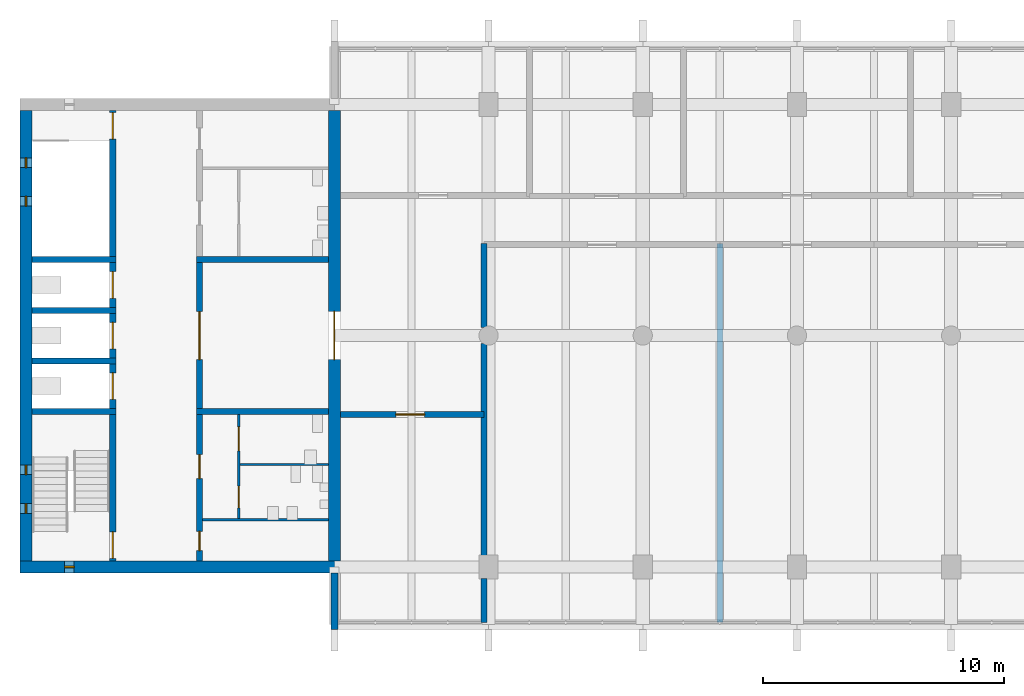
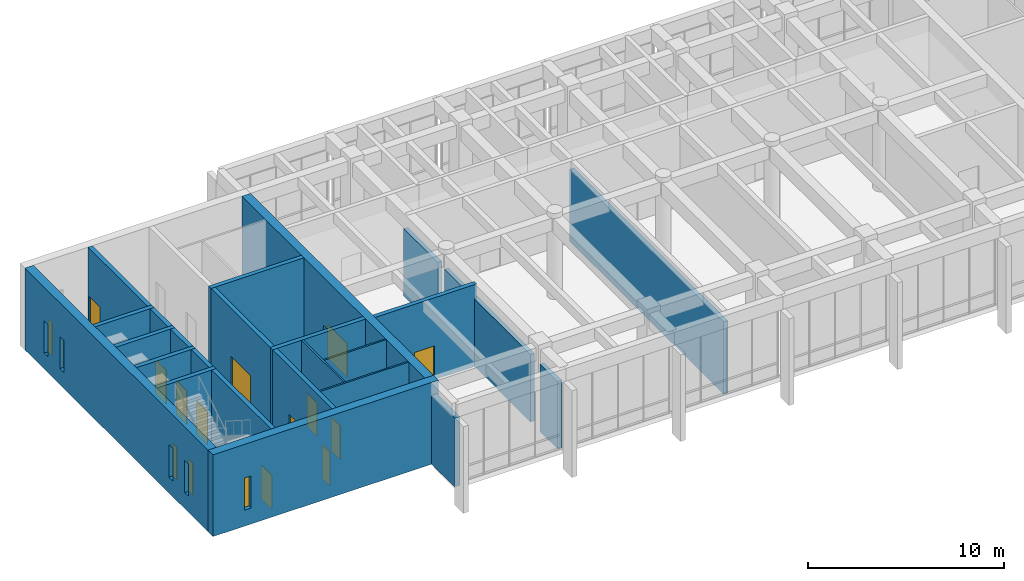
# One storey, part 3 of 10: 25 walls, 12 doors, 5 windows, 17 openings.
"""IFC4 building model written with IfcOpenShell, lengths in metres."""

from ifc_helpers import new_model, si_unit, direction, frame, frame_2d, origin, place, context, subcontext, project, spatial, rectangle, extrude, material, layer, layer_set, type_object, element, fill, save


model = new_model("IFC4")

# Units and contexts
model_context = context("Model", 3, precision=1e-05, world=origin(), true_north=direction((0.0, 1.0)))
body_context = subcontext(model_context, "Body", "Model", "MODEL_VIEW")
ifc_project = project(units=[si_unit("LENGTHUNIT", "METRE"), si_unit("AREAUNIT", "SQUARE_METRE"), si_unit("VOLUMEUNIT", "CUBIC_METRE"), si_unit("PLANEANGLEUNIT", "RADIAN"), si_unit("MASSUNIT", "GRAM", prefix="KILO")], contexts=[model_context])

# Site, building, storey
site_placement = place(None, origin())
site = spatial("IfcSite", under=ifc_project, at=site_placement, CompositionType="ELEMENT")
building_placement = place(site_placement, origin())
building = spatial("IfcBuilding", under=site, at=building_placement, Name="Fogon Plaza Fire Station and Headquarters Tower", CompositionType="ELEMENT")
storey_placement = place(building_placement, frame((0.0, 0.0, 64.199951171875)))
storey = spatial("IfcBuildingStorey", under=building, at=storey_placement, Name="L16", CompositionType="ELEMENT", Elevation=64.199951171875)

# Walls
ifc_material_1 = material(Name="Concrete C40", Category="concrete")
ifc_layer_1 = layer(ifc_material_1, 0.25)
ifc_layer_set_1 = layer_set([ifc_layer_1], Name="Concrete C40")
wall_type_1 = type_object("IfcWallType", Name="Core Wall RC 250", PredefinedType="SOLIDWALL", material=ifc_layer_set_1)
for number, where, z_axis, x_axis, name in (
    (1, (13.050048828125, 40.050048828125, 0.0), (0.0, 0.0, 1.0), (1.0, 0.0, 0.0), "Core A shaft wall"),
    (2, (13.050048828125, 42.14990234375, 0.0), (0.0, 0.0, 1.0), (1.0, 0.0, 0.0), "Core A shaft wall"),
    (3, (13.050048828125, 44.25, 0.0), (0.0, 0.0, 1.0), (1.0, 0.0, 0.0), "Core A shaft wall"),
    (4, (13.050048828125, 46.35009765625, 0.0), (0.0, 0.0, 1.0), (1.0, 0.0, 0.0), "Core A shaft wall"),
):
    element("IfcWall", number, at=place(storey_placement, frame(where, z_axis=z_axis, x_axis=x_axis)), inside=storey, type_object=wall_type_1, Name=name, PredefinedType="SOLIDWALL", context=body_context, shape_type="SweptSolid", body=[
        extrude(rectangle(XDim=3.474853515625, YDim=0.25, at=frame_2d((1.7373046875, 0.0))), origin(), (0.0, 0.0, 1.0), 5.10009765625),
    ])

# Wall, opening, door
wall_1_placement = place(storey_placement, frame((16.39990234375, 33.85009765625, 0.0), z_axis=(0.0, 0.0, 1.0), x_axis=(0.0, 1.0, 0.0)))
wall_1 = element("IfcWall", 5, at=wall_1_placement, inside=storey, type_object=wall_type_1, Name="Core A shaft wall", PredefinedType="SOLIDWALL", context=body_context, shape_type="SweptSolid", body=[
    extrude(rectangle(XDim=6.074951171875, YDim=0.25, at=frame_2d((3.03759765625, 0.0))), origin(), (0.0, 0.0, 1.0), 5.10009765625),
])
opening_1_placement = place(wall_1_placement, frame((0.10009765625, 0.0, 0.0)))
opening_1 = element("IfcOpeningElement", 6, at=opening_1_placement, cuts=wall_1, Name="Opening L16-D02", PredefinedType="OPENING", context=body_context, shape_type="SweptSolid", body=[
    extrude(rectangle(XDim=1.10009765625, YDim=2.10009765625, at=frame_2d((0.550048828125, 1.050048828125))), frame((0.0, 0.135009765625, 0.0), z_axis=(0.0, -1.0, 0.0), x_axis=(1.0, 0.0, 0.0)), (0.0, 0.0, 1.0), 0.27001953125),
])
ifc_material_2 = material(Name="Steel Fire Door Leaf", Category="steel")
door_type_1 = type_object("IfcDoorType", Name="Stair Door Single 1100x2100", OperationType="SINGLE_SWING_LEFT", PredefinedType="DOOR", material=ifc_material_2)
door_1_placement = place(opening_1_placement, origin())
door_1 = element("IfcDoor", 7, at=door_1_placement, inside=storey, type_object=door_type_1, Name="Stair door ST1", OperationType="SINGLE_SWING_LEFT", OverallHeight=2.10009765625, OverallWidth=1.10009765625, PredefinedType="DOOR", context=body_context, shape_type="SweptSolid", body=[
    extrude(rectangle(XDim=1.10009765625, YDim=2.10009765625, at=frame_2d((0.550048828125, 1.050048828125))), frame((0.0, 0.02490234375, 0.0), z_axis=(0.0, -1.0, 0.0), x_axis=(1.0, 0.0, 0.0)), (0.0, 0.0, 1.0), 0.050048828125),
])
fill(opening_1, door_1)

wall_2_placement = place(storey_placement, frame((16.39990234375, 40.175048828125, 0.0), z_axis=(0.0, 0.0, 1.0), x_axis=(0.0, 1.0, 0.0)))
wall_2 = element("IfcWall", 8, at=wall_2_placement, inside=storey, type_object=wall_type_1, Name="Core A shaft wall", PredefinedType="SOLIDWALL", context=body_context, shape_type="SweptSolid", body=[
    extrude(rectangle(XDim=1.849853515625, YDim=0.25, at=frame_2d((0.9248046875, 0.0))), origin(), (0.0, 0.0, 1.0), 5.10009765625),
])
opening_2_placement = place(wall_2_placement, frame((0.375, 0.0, 0.0)))
opening_2 = element("IfcOpeningElement", 9, at=opening_2_placement, cuts=wall_2, Name="Opening L16-D04", PredefinedType="OPENING", context=body_context, shape_type="SweptSolid", body=[
    extrude(rectangle(XDim=1.10009765625, YDim=2.10009765625, at=frame_2d((0.550048828125, 1.050048828125))), frame((0.0, 0.135009765625, 0.0), z_axis=(0.0, -1.0, 0.0), x_axis=(1.0, 0.0, 0.0)), (0.0, 0.0, 1.0), 0.27001953125),
])
ifc_material_3 = material(Name="Stainless Steel", Category="steel")
door_type_2 = type_object("IfcDoorType", Name="Lift Landing Door 1100x2100", OperationType="SLIDING_TO_LEFT", PredefinedType="DOOR", material=ifc_material_3)
door_2_placement = place(opening_2_placement, origin())
door_2 = element("IfcDoor", 10, at=door_2_placement, inside=storey, type_object=door_type_2, Name="Lift LP1 landing door", OperationType="SLIDING_TO_LEFT", OverallHeight=2.10009765625, OverallWidth=1.10009765625, PredefinedType="DOOR", context=body_context, shape_type="SweptSolid", body=[
    extrude(rectangle(XDim=1.10009765625, YDim=2.10009765625, at=frame_2d((0.550048828125, 1.050048828125))), frame((0.0, 0.02490234375, 0.0), z_axis=(0.0, -1.0, 0.0), x_axis=(1.0, 0.0, 0.0)), (0.0, 0.0, 1.0), 0.050048828125),
])
fill(opening_2, door_2)

wall_3_placement = place(storey_placement, frame((16.39990234375, 42.27490234375, 0.0), z_axis=(0.0, 0.0, 1.0), x_axis=(0.0, 1.0, 0.0)))
wall_3 = element("IfcWall", 11, at=wall_3_placement, inside=storey, type_object=wall_type_1, Name="Core A shaft wall", PredefinedType="SOLIDWALL", context=body_context, shape_type="SweptSolid", body=[
    extrude(rectangle(XDim=1.85009765625, YDim=0.25, at=frame_2d((0.925048828125, 0.0))), origin(), (0.0, 0.0, 1.0), 5.10009765625),
])
opening_3_placement = place(wall_3_placement, frame((0.375, 0.0, 0.0)))
opening_3 = element("IfcOpeningElement", 12, at=opening_3_placement, cuts=wall_3, Name="Opening L16-D05", PredefinedType="OPENING", context=body_context, shape_type="SweptSolid", body=[
    extrude(rectangle(XDim=1.10009765625, YDim=2.10009765625, at=frame_2d((0.550048828125, 1.050048828125))), frame((0.0, 0.135009765625, 0.0), z_axis=(0.0, -1.0, 0.0), x_axis=(1.0, 0.0, 0.0)), (0.0, 0.0, 1.0), 0.27001953125),
])
door_3_placement = place(opening_3_placement, origin())
door_3 = element("IfcDoor", 13, at=door_3_placement, inside=storey, type_object=door_type_2, Name="Lift LP2 landing door", OperationType="SLIDING_TO_LEFT", OverallHeight=2.10009765625, OverallWidth=1.10009765625, PredefinedType="DOOR", context=body_context, shape_type="SweptSolid", body=[
    extrude(rectangle(XDim=1.10009765625, YDim=2.10009765625, at=frame_2d((0.550048828125, 1.050048828125))), frame((0.0, 0.02490234375, 0.0), z_axis=(0.0, -1.0, 0.0), x_axis=(1.0, 0.0, 0.0)), (0.0, 0.0, 1.0), 0.050048828125),
])
fill(opening_3, door_3)

wall_4_placement = place(storey_placement, frame((16.39990234375, 44.375, 0.0), z_axis=(0.0, 0.0, 1.0), x_axis=(0.0, 1.0, 0.0)))
wall_4 = element("IfcWall", 14, at=wall_4_placement, inside=storey, type_object=wall_type_1, Name="Core A shaft wall", PredefinedType="SOLIDWALL", context=body_context, shape_type="SweptSolid", body=[
    extrude(rectangle(XDim=1.85009765625, YDim=0.25, at=frame_2d((0.925048828125, 0.0))), origin(), (0.0, 0.0, 1.0), 5.10009765625),
])
opening_4_placement = place(wall_4_placement, frame((0.375, 0.0, 0.0)))
opening_4 = element("IfcOpeningElement", 15, at=opening_4_placement, cuts=wall_4, Name="Opening L16-D06", PredefinedType="OPENING", context=body_context, shape_type="SweptSolid", body=[
    extrude(rectangle(XDim=1.10009765625, YDim=2.10009765625, at=frame_2d((0.550048828125, 1.050048828125))), frame((0.0, 0.135009765625, 0.0), z_axis=(0.0, -1.0, 0.0), x_axis=(1.0, 0.0, 0.0)), (0.0, 0.0, 1.0), 0.27001953125),
])
door_4_placement = place(opening_4_placement, origin())
door_4 = element("IfcDoor", 16, at=door_4_placement, inside=storey, type_object=door_type_2, Name="Lift FL1 landing door", OperationType="SLIDING_TO_LEFT", OverallHeight=2.10009765625, OverallWidth=1.10009765625, PredefinedType="DOOR", context=body_context, shape_type="SweptSolid", body=[
    extrude(rectangle(XDim=1.10009765625, YDim=2.10009765625, at=frame_2d((0.550048828125, 1.050048828125))), frame((0.0, 0.02490234375, 0.0), z_axis=(0.0, -1.0, 0.0), x_axis=(1.0, 0.0, 0.0)), (0.0, 0.0, 1.0), 0.050048828125),
])
fill(opening_4, door_4)

wall_5_placement = place(storey_placement, frame((16.39990234375, 46.47509765625, 0.0), z_axis=(0.0, 0.0, 1.0), x_axis=(0.0, 1.0, 0.0)))
wall_5 = element("IfcWall", 17, at=wall_5_placement, inside=storey, type_object=wall_type_1, Name="Core A shaft wall", PredefinedType="SOLIDWALL", context=body_context, shape_type="SweptSolid", body=[
    extrude(rectangle(XDim=6.074951171875, YDim=0.25, at=frame_2d((3.03759765625, 0.0))), origin(), (0.0, 0.0, 1.0), 5.10009765625),
])
opening_5_placement = place(wall_5_placement, frame((4.875, 0.0, 0.0)))
opening_5 = element("IfcOpeningElement", 18, at=opening_5_placement, cuts=wall_5, Name="Opening L16-D03", PredefinedType="OPENING", context=body_context, shape_type="SweptSolid", body=[
    extrude(rectangle(XDim=1.10009765625, YDim=2.10009765625, at=frame_2d((0.550048828125, 1.050048828125))), frame((0.0, 0.135009765625, 0.0), z_axis=(0.0, -1.0, 0.0), x_axis=(1.0, 0.0, 0.0)), (0.0, 0.0, 1.0), 0.27001953125),
])
door_5_placement = place(opening_5_placement, origin())
door_5 = element("IfcDoor", 19, at=door_5_placement, inside=storey, type_object=door_type_1, Name="Stair door ST2", OperationType="SINGLE_SWING_RIGHT", OverallHeight=2.10009765625, OverallWidth=1.10009765625, PredefinedType="DOOR", context=body_context, shape_type="SweptSolid", body=[
    extrude(rectangle(XDim=1.10009765625, YDim=2.10009765625, at=frame_2d((0.550048828125, 1.050048828125))), frame((0.0, 0.02490234375, 0.0), z_axis=(0.0, -1.0, 0.0), x_axis=(1.0, 0.0, 0.0)), (0.0, 0.0, 1.0), 0.050048828125),
])
fill(opening_5, door_5)

# Wall, openings, doors
wall_6_placement = place(storey_placement, frame((20.0, 33.85009765625, 0.0), z_axis=(0.0, 0.0, 1.0), x_axis=(0.0, 1.0, 0.0)))
wall_6 = element("IfcWall", 20, at=wall_6_placement, inside=storey, type_object=wall_type_1, Name="Core A shaft wall", PredefinedType="SOLIDWALL", context=body_context, shape_type="SweptSolid", body=[
    extrude(rectangle(XDim=6.074951171875, YDim=0.25, at=frame_2d((3.03759765625, 0.0))), origin(), (0.0, 0.0, 1.0), 5.10009765625),
])
opening_6_placement = place(wall_6_placement, frame((0.425048828125, 0.0, 0.0)))
opening_6 = element("IfcOpeningElement", 21, at=opening_6_placement, cuts=wall_6, Name="Opening L16-D09", PredefinedType="OPENING", context=body_context, shape_type="SweptSolid", body=[
    extrude(rectangle(XDim=0.800048828125, YDim=2.10009765625, at=frame_2d((0.39990234375, 1.050048828125))), frame((0.0, 0.135009765625, 0.0), z_axis=(0.0, -1.0, 0.0), x_axis=(1.0, 0.0, 0.0)), (0.0, 0.0, 1.0), 0.27001953125),
])
opening_7_placement = place(wall_6_placement, frame((3.41259765625, 0.0, 0.0)))
opening_7 = element("IfcOpeningElement", 22, at=opening_7_placement, cuts=wall_6, Name="Opening L16-D10", PredefinedType="OPENING", context=body_context, shape_type="SweptSolid", body=[
    extrude(rectangle(XDim=1.0, YDim=2.10009765625, at=frame_2d((0.5, 1.050048828125))), frame((0.0, 0.135009765625, 0.0), z_axis=(0.0, -1.0, 0.0), x_axis=(1.0, 0.0, 0.0)), (0.0, 0.0, 1.0), 0.27001953125),
])
ifc_material_4 = material(Name="Timber Door Leaf", Category="wood")
door_type_3 = type_object("IfcDoorType", Name="Cleaner Store Single 800x2100", OperationType="SINGLE_SWING_LEFT", PredefinedType="DOOR", material=ifc_material_4)
door_6_placement = place(opening_6_placement, frame((0.800048828125, 0.0, 0.0), z_axis=(0.0, 0.0, 1.0), x_axis=(-1.0, 0.0, 0.0)))
door_6 = element("IfcDoor", 23, at=door_6_placement, inside=storey, type_object=door_type_3, Name="Cleaner's store A door", OperationType="SINGLE_SWING_RIGHT", OverallHeight=2.10009765625, OverallWidth=0.800048828125, PredefinedType="DOOR", context=body_context, shape_type="SweptSolid", body=[
    extrude(rectangle(XDim=0.800048828125, YDim=2.10009765625, at=frame_2d((0.39990234375, 1.050048828125))), frame((0.0, 0.02490234375, 0.0), z_axis=(0.0, -1.0, 0.0), x_axis=(1.0, 0.0, 0.0)), (0.0, 0.0, 1.0), 0.050048828125),
])
fill(opening_6, door_6)
ifc_material_5 = material(Name="Timber fire door", Category="wood")
door_type_4 = type_object("IfcDoorType", Name="WC Lobby Single 1000x2100", OperationType="SINGLE_SWING_LEFT", PredefinedType="DOOR", material=ifc_material_5)
door_7_placement = place(opening_7_placement, frame((1.0, 0.0, 0.0), z_axis=(0.0, 0.0, 1.0), x_axis=(-1.0, 0.0, 0.0)))
door_7 = element("IfcDoor", 24, at=door_7_placement, inside=storey, type_object=door_type_4, Name="Men's WC lobby A door", OperationType="SINGLE_SWING_LEFT", OverallHeight=2.10009765625, OverallWidth=1.0, PredefinedType="DOOR", context=body_context, shape_type="SweptSolid", body=[
    extrude(rectangle(XDim=1.0, YDim=2.10009765625, at=frame_2d((0.5, 1.050048828125))), frame((0.0, 0.02490234375, 0.0), z_axis=(0.0, -1.0, 0.0), x_axis=(1.0, 0.0, 0.0)), (0.0, 0.0, 1.0), 0.050048828125),
])
fill(opening_7, door_7)

# Wall, opening, door
wall_7_placement = place(storey_placement, frame((20.0, 40.175048828125, 0.0), z_axis=(0.0, 0.0, 1.0), x_axis=(0.0, 1.0, 0.0)))
wall_7 = element("IfcWall", 25, at=wall_7_placement, inside=storey, type_object=wall_type_1, Name="Core A shaft wall", PredefinedType="SOLIDWALL", context=body_context, shape_type="SweptSolid", body=[
    extrude(rectangle(XDim=6.050048828125, YDim=0.25, at=frame_2d((3.02490234375, 0.0))), origin(), (0.0, 0.0, 1.0), 5.10009765625),
])
opening_8_placement = place(wall_7_placement, frame((2.02490234375, 0.0, 0.0)))
opening_8 = element("IfcOpeningElement", 26, at=opening_8_placement, cuts=wall_7, Name="Opening L16-D07", PredefinedType="OPENING", context=body_context, shape_type="SweptSolid", body=[
    extrude(rectangle(XDim=2.0, YDim=2.10009765625, at=frame_2d((1.0, 1.050048828125))), frame((0.0, 0.135009765625, 0.0), z_axis=(0.0, -1.0, 0.0), x_axis=(1.0, 0.0, 0.0)), (0.0, 0.0, 1.0), 0.27001953125),
])
ifc_material_6 = material(Name="Steel Fire Door Leaf", Category="steel")
door_type_5 = type_object("IfcDoorType", Name="Vestibule Double 2000x2100", OperationType="DOUBLE_DOOR_SINGLE_SWING", PredefinedType="DOOR", material=ifc_material_6)
door_8_placement = place(opening_8_placement, frame((2.0, 0.0, 0.0), z_axis=(0.0, 0.0, 1.0), x_axis=(-1.0, 0.0, 0.0)))
door_8 = element("IfcDoor", 27, at=door_8_placement, inside=storey, type_object=door_type_5, Name="Vestibule A door", OperationType="DOUBLE_DOOR_SINGLE_SWING", OverallHeight=2.10009765625, OverallWidth=2.0, PredefinedType="DOOR", context=body_context, shape_type="SweptSolid", body=[
    extrude(rectangle(XDim=2.0, YDim=2.10009765625, at=frame_2d((1.0, 1.050048828125))), frame((0.0, 0.02490234375, 0.0), z_axis=(0.0, -1.0, 0.0), x_axis=(1.0, 0.0, 0.0)), (0.0, 0.0, 1.0), 0.050048828125),
])
fill(opening_8, door_8)

# Walls
for number, where, z_axis, x_axis, name in (
    (28, (19.875, 40.050048828125, 0.0), (0.0, 0.0, 1.0), (1.0, 0.0, 0.0), "Core A shaft wall"),
    (29, (19.875, 46.35009765625, 0.0), (0.0, 0.0, 1.0), (1.0, 0.0, 0.0), "Core A shaft wall"),
):
    element("IfcWall", number, at=place(storey_placement, frame(where, z_axis=z_axis, x_axis=x_axis)), inside=storey, type_object=wall_type_1, Name=name, PredefinedType="SOLIDWALL", context=body_context, shape_type="SweptSolid", body=[
        extrude(rectangle(XDim=5.47509765625, YDim=0.25, at=frame_2d((2.737548828125, 0.0))), origin(), (0.0, 0.0, 1.0), 5.10009765625),
    ])
ifc_material_7 = material(Name="Concrete C40", Category="concrete")
ifc_layer_2 = layer(ifc_material_7, 0.300048828125)
ifc_layer_set_2 = layer_set([ifc_layer_2], Name="Concrete C40")
wall_type_2 = type_object("IfcWallType", Name="Fair-faced RC Return Panel 300", PredefinedType="SOLIDWALL", material=ifc_layer_set_2)
wall_8_placement = place(storey_placement, frame((25.60009765625, 31.0, 0.0), z_axis=(0.0, 0.0, 1.0), x_axis=(0.0, 1.0, 0.0)))
element("IfcWall", 30, at=wall_8_placement, inside=storey, type_object=wall_type_2, Name="Bar end return WS L16", PredefinedType="SOLIDWALL", context=body_context, shape_type="SweptSolid", body=[
    extrude(rectangle(XDim=2.35009765625, YDim=0.300048828125, at=frame_2d((1.175048828125, 0.0))), origin(), (0.0, 0.0, 1.0), 4.300048828125),
])
ifc_material_8 = material(Name="Blockwork", Category="masonry")
ifc_layer_3 = layer(ifc_material_8, 0.10009765625)
ifc_layer_set_3 = layer_set([ifc_layer_3], Name="Blockwork")
wall_type_3 = type_object("IfcWallType", Name="Partition Blockwork 100", PredefinedType="PARTITIONING", material=ifc_layer_set_3)
wall_9_placement = place(storey_placement, frame((20.125, 35.550048828125, 0.0), z_axis=(0.0, 0.0, 1.0), x_axis=(1.0, 0.0, 0.0)))
element("IfcWall", 31, at=wall_9_placement, inside=storey, type_object=wall_type_3, Name="Cleaner's store partition", PredefinedType="PARTITIONING", context=body_context, shape_type="SweptSolid", body=[
    extrude(rectangle(XDim=5.22509765625, YDim=0.10009765625, at=frame_2d((2.612548828125, 0.0))), origin(), (0.0, 0.0, 1.0), 5.10009765625),
])

# Wall, openings, doors
wall_10_placement = place(storey_placement, frame((21.625, 35.60009765625, 0.0), z_axis=(0.0, 0.0, 1.0), x_axis=(0.0, 1.0, 0.0)))
wall_10 = element("IfcWall", 32, at=wall_10_placement, inside=storey, type_object=wall_type_3, Name="WC block partition", PredefinedType="PARTITIONING", context=body_context, shape_type="SweptSolid", body=[
    extrude(rectangle(XDim=4.324951171875, YDim=0.10009765625, at=frame_2d((2.16259765625, 0.0))), origin(), (0.0, 0.0, 1.0), 5.10009765625),
])
opening_9_placement = place(wall_10_placement, frame((0.449951171875, 0.0, 0.0)))
opening_9 = element("IfcOpeningElement", 33, at=opening_9_placement, cuts=wall_10, Name="Opening L16-D11", PredefinedType="OPENING", context=body_context, shape_type="SweptSolid", body=[
    extrude(rectangle(XDim=0.89990234375, YDim=2.10009765625, at=frame_2d((0.449951171875, 1.050048828125))), frame((0.0, 0.06005859375, 0.0), z_axis=(0.0, -1.0, 0.0), x_axis=(1.0, 0.0, 0.0)), (0.0, 0.0, 1.0), 0.1201171875),
])
opening_10_placement = place(wall_10_placement, frame((2.8125, 0.0, 0.0)))
opening_10 = element("IfcOpeningElement", 34, at=opening_10_placement, cuts=wall_10, Name="Opening L16-D12", PredefinedType="OPENING", context=body_context, shape_type="SweptSolid", body=[
    extrude(rectangle(XDim=1.0, YDim=2.10009765625, at=frame_2d((0.5, 1.050048828125))), frame((0.0, 0.06005859375, 0.0), z_axis=(0.0, -1.0, 0.0), x_axis=(1.0, 0.0, 0.0)), (0.0, 0.0, 1.0), 0.1201171875),
])
ifc_material_9 = material(Name="Timber Door Leaf", Category="wood")
door_type_6 = type_object("IfcDoorType", Name="Accessible WC Single 1000x2100", OperationType="SINGLE_SWING_LEFT", PredefinedType="DOOR", material=ifc_material_9)
door_9_placement = place(opening_10_placement, frame((1.0, 0.0, 0.0), z_axis=(0.0, 0.0, 1.0), x_axis=(-1.0, 0.0, 0.0)))
door_9 = element("IfcDoor", 35, at=door_9_placement, inside=storey, type_object=door_type_6, Name="Accessible WC A door", OperationType="SINGLE_SWING_LEFT", OverallHeight=2.10009765625, OverallWidth=1.0, PredefinedType="DOOR", context=body_context, shape_type="SweptSolid", body=[
    extrude(rectangle(XDim=1.0, YDim=2.10009765625, at=frame_2d((0.5, 1.050048828125))), frame((0.0, 0.02490234375, 0.0), z_axis=(0.0, -1.0, 0.0), x_axis=(1.0, 0.0, 0.0)), (0.0, 0.0, 1.0), 0.050048828125),
])
fill(opening_10, door_9)
ifc_material_10 = material(Name="Timber Door Leaf", Category="wood")
door_type_7 = type_object("IfcDoorType", Name="WC Single 900x2100", OperationType="SINGLE_SWING_LEFT", PredefinedType="DOOR", material=ifc_material_10)
door_10_placement = place(opening_9_placement, frame((0.89990234375, 0.0, 0.0), z_axis=(0.0, 0.0, 1.0), x_axis=(-1.0, 0.0, 0.0)))
door_10 = element("IfcDoor", 36, at=door_10_placement, inside=storey, type_object=door_type_7, Name="Men's WC A door", OperationType="SINGLE_SWING_RIGHT", OverallHeight=2.10009765625, OverallWidth=0.89990234375, PredefinedType="DOOR", context=body_context, shape_type="SweptSolid", body=[
    extrude(rectangle(XDim=0.89990234375, YDim=2.10009765625, at=frame_2d((0.449951171875, 1.050048828125))), frame((0.0, 0.02490234375, 0.0), z_axis=(0.0, -1.0, 0.0), x_axis=(1.0, 0.0, 0.0)), (0.0, 0.0, 1.0), 0.050048828125),
])
fill(opening_9, door_10)

# Wall
wall_11_placement = place(storey_placement, frame((21.675048828125, 37.85009765625, 0.0), z_axis=(0.0, 0.0, 1.0), x_axis=(1.0, 0.0, 0.0)))
element("IfcWall", 37, at=wall_11_placement, inside=storey, type_object=wall_type_3, Name="WC block partition", PredefinedType="PARTITIONING", context=body_context, shape_type="SweptSolid", body=[
    extrude(rectangle(XDim=3.675048828125, YDim=0.10009765625, at=frame_2d((1.83740234375, 0.0))), origin(), (0.0, 0.0, 1.0), 5.10009765625),
])

# Wall, opening, window
ifc_material_11 = material(Name="Concrete C40", Category="concrete")
ifc_layer_4 = layer(ifc_material_11, 0.5)
ifc_layer_set_4 = layer_set([ifc_layer_4], Name="Concrete C40")
wall_type_4 = type_object("IfcWallType", Name="Shear wall 500 SW50", PredefinedType="SHEAR", material=ifc_layer_set_4)
wall_12_placement = place(storey_placement, frame((12.550048828125, 33.60009765625, 0.0), z_axis=(0.0, 0.0, 1.0), x_axis=(1.0, 0.0, 0.0)))
wall_12 = element("IfcWall", 38, at=wall_12_placement, inside=storey, type_object=wall_type_4, Name="wall-coreA-S-L16", PredefinedType="SHEAR", context=body_context, shape_type="SweptSolid", body=[
    extrude(rectangle(XDim=13.300048828125, YDim=0.5, at=frame_2d((6.64990234375, 0.0))), origin(), (0.0, 0.0, 1.0), 5.10009765625),
])
opening_11_placement = place(wall_12_placement, frame((1.85009765625, 0.0, 1.0)))
opening_11 = element("IfcOpeningElement", 39, at=opening_11_placement, cuts=wall_12, Name="Opening WS1", PredefinedType="OPENING", context=body_context, shape_type="SweptSolid", body=[
    extrude(rectangle(XDim=0.39990234375, YDim=2.0, at=frame_2d((0.199951171875, 1.0))), frame((0.0, 0.260009765625, 0.0), z_axis=(0.0, -1.0, 0.0), x_axis=(1.0, 0.0, 0.0)), (0.0, 0.0, 1.0), 0.52001953125),
])
ifc_material_12 = material(Name="Aluminium framed double glazing", Category="aluminium")
window_type = type_object("IfcWindowType", Name="Slit Window WS1 400x2000", PartitioningType="SINGLE_PANEL", PredefinedType="WINDOW", material=ifc_material_12)
window_1_placement = place(opening_11_placement, origin())
window_1 = element("IfcWindow", 40, at=window_1_placement, inside=storey, type_object=window_type, Name="Slit window A5 L16", OverallHeight=2.0, OverallWidth=0.39990234375, PartitioningType="SINGLE_PANEL", PredefinedType="WINDOW", context=body_context, shape_type="SweptSolid", body=[
    extrude(rectangle(XDim=0.39990234375, YDim=2.0, at=frame_2d((0.199951171875, 1.0))), frame((0.0, 0.030029296875, 0.0), z_axis=(0.0, -1.0, 0.0), x_axis=(1.0, 0.0, 0.0)), (0.0, 0.0, 1.0), 0.06005859375),
])
fill(opening_11, window_1)

# Wall, opening, door
wall_13_placement = place(storey_placement, frame((25.60009765625, 33.85009765625, 0.0), z_axis=(0.0, 0.0, 1.0), x_axis=(0.0, 1.0, 0.0)))
wall_13 = element("IfcWall", 41, at=wall_13_placement, inside=storey, type_object=wall_type_4, Name="wall-coreA-E-L16", PredefinedType="SHEAR", context=body_context, shape_type="SweptSolid", body=[
    extrude(rectangle(XDim=18.699951171875, YDim=0.5, at=frame_2d((9.35009765625, 0.0))), origin(), (0.0, 0.0, 1.0), 5.10009765625),
])
opening_12_placement = place(wall_13_placement, frame((8.35009765625, 0.0, 0.0)))
opening_12 = element("IfcOpeningElement", 42, at=opening_12_placement, cuts=wall_13, Name="Opening L16-D08", PredefinedType="OPENING", context=body_context, shape_type="SweptSolid", body=[
    extrude(rectangle(XDim=2.0, YDim=2.10009765625, at=frame_2d((1.0, 1.050048828125))), frame((0.0, 0.260009765625, 0.0), z_axis=(0.0, -1.0, 0.0), x_axis=(1.0, 0.0, 0.0)), (0.0, 0.0, 1.0), 0.52001953125),
])
door_11_placement = place(opening_12_placement, origin())
door_11 = element("IfcDoor", 43, at=door_11_placement, inside=storey, type_object=door_type_5, Name="Vestibule A door to the office zone", OperationType="DOUBLE_DOOR_SINGLE_SWING", OverallHeight=2.10009765625, OverallWidth=2.0, PredefinedType="DOOR", context=body_context, shape_type="SweptSolid", body=[
    extrude(rectangle(XDim=2.0, YDim=2.10009765625, at=frame_2d((1.0, 1.050048828125))), frame((0.0, 0.02490234375, 0.0), z_axis=(0.0, -1.0, 0.0), x_axis=(1.0, 0.0, 0.0)), (0.0, 0.0, 1.0), 0.050048828125),
])
fill(opening_12, door_11)

# Wall, openings, windows
wall_14_placement = place(storey_placement, frame((12.800048828125, 33.85009765625, 0.0), z_axis=(0.0, 0.0, 1.0), x_axis=(0.0, 1.0, 0.0)))
wall_14 = element("IfcWall", 44, at=wall_14_placement, inside=storey, type_object=wall_type_4, Name="wall-coreA-W-L16", PredefinedType="SHEAR", context=body_context, shape_type="SweptSolid", body=[
    extrude(rectangle(XDim=18.699951171875, YDim=0.5, at=frame_2d((9.35009765625, 0.0))), origin(), (0.0, 0.0, 1.0), 5.10009765625),
])
opening_13_placement = place(wall_14_placement, frame((1.97509765625, 0.0, 1.0)))
opening_13 = element("IfcOpeningElement", 45, at=opening_13_placement, cuts=wall_14, Name="Opening WS1", PredefinedType="OPENING", context=body_context, shape_type="SweptSolid", body=[
    extrude(rectangle(XDim=0.39990234375, YDim=2.0, at=frame_2d((0.199951171875, 1.0))), frame((0.0, 0.260009765625, 0.0), z_axis=(0.0, -1.0, 0.0), x_axis=(1.0, 0.0, 0.0)), (0.0, 0.0, 1.0), 0.52001953125),
])
opening_14_placement = place(wall_14_placement, frame((3.574951171875, 0.0, 1.0)))
opening_14 = element("IfcOpeningElement", 46, at=opening_14_placement, cuts=wall_14, Name="Opening WS1", PredefinedType="OPENING", context=body_context, shape_type="SweptSolid", body=[
    extrude(rectangle(XDim=0.39990234375, YDim=2.0, at=frame_2d((0.199951171875, 1.0))), frame((0.0, 0.260009765625, 0.0), z_axis=(0.0, -1.0, 0.0), x_axis=(1.0, 0.0, 0.0)), (0.0, 0.0, 1.0), 0.52001953125),
])
opening_15_placement = place(wall_14_placement, frame((14.72509765625, 0.0, 1.0)))
opening_15 = element("IfcOpeningElement", 47, at=opening_15_placement, cuts=wall_14, Name="Opening WS1", PredefinedType="OPENING", context=body_context, shape_type="SweptSolid", body=[
    extrude(rectangle(XDim=0.39990234375, YDim=2.0, at=frame_2d((0.199951171875, 1.0))), frame((0.0, 0.260009765625, 0.0), z_axis=(0.0, -1.0, 0.0), x_axis=(1.0, 0.0, 0.0)), (0.0, 0.0, 1.0), 0.52001953125),
])
opening_16_placement = place(wall_14_placement, frame((16.324951171875, 0.0, 1.0)))
opening_16 = element("IfcOpeningElement", 48, at=opening_16_placement, cuts=wall_14, Name="Opening WS1", PredefinedType="OPENING", context=body_context, shape_type="SweptSolid", body=[
    extrude(rectangle(XDim=0.39990234375, YDim=2.0, at=frame_2d((0.199951171875, 1.0))), frame((0.0, 0.260009765625, 0.0), z_axis=(0.0, -1.0, 0.0), x_axis=(1.0, 0.0, 0.0)), (0.0, 0.0, 1.0), 0.52001953125),
])
window_2_placement = place(opening_13_placement, origin())
window_2 = element("IfcWindow", 49, at=window_2_placement, inside=storey, type_object=window_type, Name="Slit window A1 L16", OverallHeight=2.0, OverallWidth=0.39990234375, PartitioningType="SINGLE_PANEL", PredefinedType="WINDOW", context=body_context, shape_type="SweptSolid", body=[
    extrude(rectangle(XDim=0.39990234375, YDim=2.0, at=frame_2d((0.199951171875, 1.0))), frame((0.0, 0.030029296875, 0.0), z_axis=(0.0, -1.0, 0.0), x_axis=(1.0, 0.0, 0.0)), (0.0, 0.0, 1.0), 0.06005859375),
])
fill(opening_13, window_2)
window_3_placement = place(opening_14_placement, origin())
window_3 = element("IfcWindow", 50, at=window_3_placement, inside=storey, type_object=window_type, Name="Slit window A2 L16", OverallHeight=2.0, OverallWidth=0.39990234375, PartitioningType="SINGLE_PANEL", PredefinedType="WINDOW", context=body_context, shape_type="SweptSolid", body=[
    extrude(rectangle(XDim=0.39990234375, YDim=2.0, at=frame_2d((0.199951171875, 1.0))), frame((0.0, 0.030029296875, 0.0), z_axis=(0.0, -1.0, 0.0), x_axis=(1.0, 0.0, 0.0)), (0.0, 0.0, 1.0), 0.06005859375),
])
fill(opening_14, window_3)
window_4_placement = place(opening_15_placement, origin())
window_4 = element("IfcWindow", 51, at=window_4_placement, inside=storey, type_object=window_type, Name="Slit window A3 L16", OverallHeight=2.0, OverallWidth=0.39990234375, PartitioningType="SINGLE_PANEL", PredefinedType="WINDOW", context=body_context, shape_type="SweptSolid", body=[
    extrude(rectangle(XDim=0.39990234375, YDim=2.0, at=frame_2d((0.199951171875, 1.0))), frame((0.0, 0.030029296875, 0.0), z_axis=(0.0, -1.0, 0.0), x_axis=(1.0, 0.0, 0.0)), (0.0, 0.0, 1.0), 0.06005859375),
])
fill(opening_15, window_4)
window_5_placement = place(opening_16_placement, origin())
window_5 = element("IfcWindow", 52, at=window_5_placement, inside=storey, type_object=window_type, Name="Slit window A4 L16", OverallHeight=2.0, OverallWidth=0.39990234375, PartitioningType="SINGLE_PANEL", PredefinedType="WINDOW", context=body_context, shape_type="SweptSolid", body=[
    extrude(rectangle(XDim=0.39990234375, YDim=2.0, at=frame_2d((0.199951171875, 1.0))), frame((0.0, 0.030029296875, 0.0), z_axis=(0.0, -1.0, 0.0), x_axis=(1.0, 0.0, 0.0)), (0.0, 0.0, 1.0), 0.06005859375),
])
fill(opening_16, window_5)

# Wall, opening, door
ifc_material_13 = material(Name="Concrete block masonry", Category="masonry")
ifc_layer_5 = layer(ifc_material_13, 0.25)
ifc_layer_set_5 = layer_set([ifc_layer_5], Name="Concrete block masonry")
wall_type_5 = type_object("IfcWallType", Name="Tower plant wall 250 EI 120", PredefinedType="PARTITIONING", material=ifc_layer_set_5)
wall_15_placement = place(storey_placement, frame((25.85009765625, 39.925048828125, 0.0), z_axis=(0.0, 0.0, 1.0), x_axis=(1.0, 0.0, 0.0)))
wall_15 = element("IfcWall", 53, at=wall_15_placement, inside=storey, type_object=wall_type_5, Name="part-L16-15", PredefinedType="PARTITIONING", context=body_context, shape_type="SweptSolid", body=[
    extrude(rectangle(XDim=5.969970703125, YDim=0.25, at=frame_2d((2.98486328125, 0.0))), origin(), (0.0, 0.0, 1.0), 5.10009765625),
])
opening_17_placement = place(wall_15_placement, frame((2.300048828125, 0.0, 0.0)))
opening_17 = element("IfcOpeningElement", 54, at=opening_17_placement, cuts=wall_15, Name="Opening L16-D39", PredefinedType="OPENING", context=body_context, shape_type="SweptSolid", body=[
    extrude(rectangle(XDim=1.199951171875, YDim=2.10009765625, at=frame_2d((0.60009765625, 1.050048828125))), frame((0.0, 0.135009765625, 0.0), z_axis=(0.0, -1.0, 0.0), x_axis=(1.0, 0.0, 0.0)), (0.0, 0.0, 1.0), 0.27001953125),
])
ifc_material_14 = material(Name="Steel fire door", Category="steel")
door_type_8 = type_object("IfcDoorType", Name="Tower plant door double 1200 EI 90", OperationType="DOUBLE_DOOR_SINGLE_SWING", PredefinedType="DOOR", material=ifc_material_14)
door_12_placement = place(opening_17_placement, frame((1.199951171875, 0.0, 0.0), z_axis=(0.0, 0.0, 1.0), x_axis=(-1.0, 0.0, 0.0)))
door_12 = element("IfcDoor", 55, at=door_12_placement, inside=storey, type_object=door_type_8, Name="door-L16-09", OperationType="DOUBLE_DOOR_SINGLE_SWING", OverallHeight=2.10009765625, OverallWidth=1.199951171875, PredefinedType="DOOR", context=body_context, shape_type="SweptSolid", body=[
    extrude(rectangle(XDim=1.199951171875, YDim=2.10009765625, at=frame_2d((0.60009765625, 1.050048828125))), frame((0.0, 0.02490234375, 0.0), z_axis=(0.0, -1.0, 0.0), x_axis=(1.0, 0.0, 0.0)), (0.0, 0.0, 1.0), 0.050048828125),
])
fill(opening_17, door_12)

# Walls
ifc_material_15 = material(Name="Concrete block masonry", Category="masonry")
ifc_layer_6 = layer(ifc_material_15, 0.25)
ifc_layer_set_6 = layer_set([ifc_layer_6], Name="Concrete block masonry")
wall_type_6 = type_object("IfcWallType", Name="Tower plant wall 250 EI 120 Beam Head 600", PredefinedType="PARTITIONING", material=ifc_layer_set_6)
wall_16_placement = place(storey_placement, frame((41.60009765625, 31.300048828125, 0.0), z_axis=(0.0, 0.0, 1.0), x_axis=(0.0, 1.0, 0.0)))
element("IfcWall", 56, at=wall_16_placement, inside=storey, type_object=wall_type_6, Name="part-L16-04", PredefinedType="PARTITIONING", context=body_context, shape_type="SweptSolid", body=[
    extrude(rectangle(XDim=15.724853515625, YDim=0.25, at=frame_2d((7.8623046875, 0.0))), origin(), (0.0, 0.0, 1.0), 4.5),
])
ifc_material_16 = material(Name="Concrete block masonry", Category="masonry")
ifc_layer_7 = layer(ifc_material_16, 0.25)
ifc_layer_set_7 = layer_set([ifc_layer_7], Name="Concrete block masonry")
wall_type_7 = type_object("IfcWallType", Name="Tower plant wall 250 EI 120 Beam Head 900", PredefinedType="PARTITIONING", material=ifc_layer_set_7)
wall_17_placement = place(storey_placement, frame((31.820068359375, 31.300048828125, 0.0), z_axis=(0.0, 0.0, 1.0), x_axis=(0.0, 1.0, 0.0)))
element("IfcWall", 57, at=wall_17_placement, inside=storey, type_object=wall_type_7, Name="part-L16-16", PredefinedType="PARTITIONING", context=body_context, shape_type="SweptSolid", body=[
    extrude(rectangle(XDim=1.820068359375, YDim=0.25, at=frame_2d((0.91015625, 0.0))), origin(), (0.0, 0.0, 1.0), 4.199951171875),
])
wall_18_placement = place(storey_placement, frame((31.820068359375, 34.080078125, 0.0), z_axis=(0.0, 0.0, 1.0), x_axis=(0.0, 1.0, 0.0)))
element("IfcWall", 58, at=wall_18_placement, inside=storey, type_object=wall_type_7, Name="part-L16-17", PredefinedType="PARTITIONING", context=body_context, shape_type="SweptSolid", body=[
    extrude(rectangle(XDim=8.78271484375, YDim=0.25, at=frame_2d((4.391357421875, 0.0))), origin(), (0.0, 0.0, 1.0), 4.199951171875),
])
wall_19_placement = place(storey_placement, frame((31.820068359375, 43.537109375, 0.0), z_axis=(0.0, 0.0, 1.0), x_axis=(0.0, 1.0, 0.0)))
element("IfcWall", 59, at=wall_19_placement, inside=storey, type_object=wall_type_7, Name="part-L16-18", PredefinedType="PARTITIONING", context=body_context, shape_type="SweptSolid", body=[
    extrude(rectangle(XDim=3.48779296875, YDim=0.25, at=frame_2d((1.743896484375, 0.0))), origin(), (0.0, 0.0, 1.0), 4.199951171875),
])

save(model, "model.ifc")
